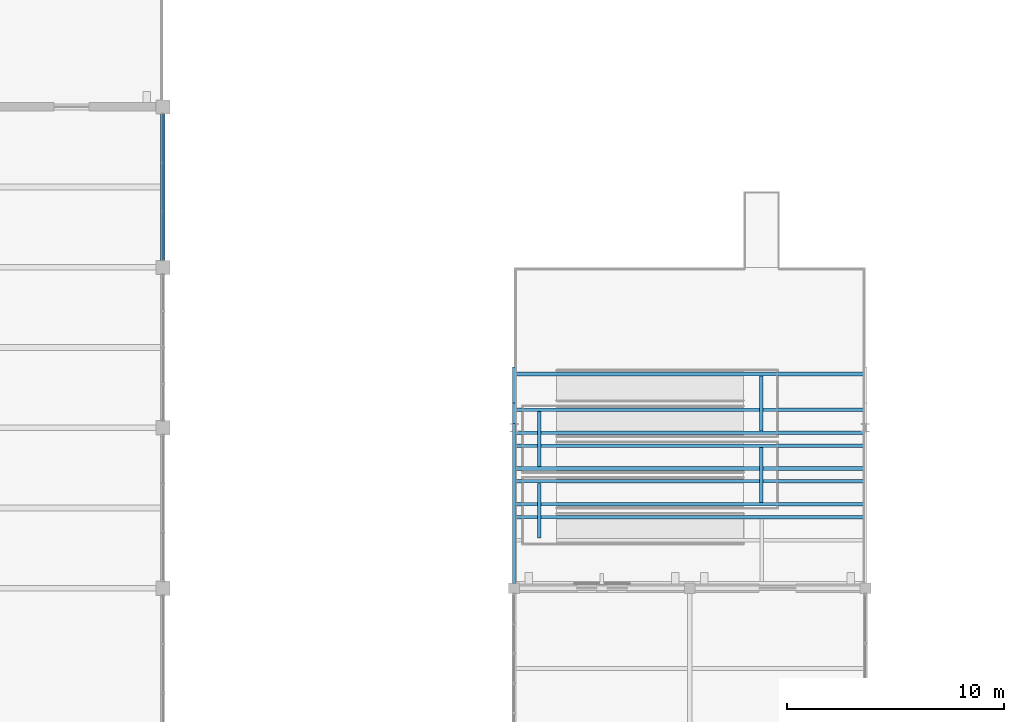
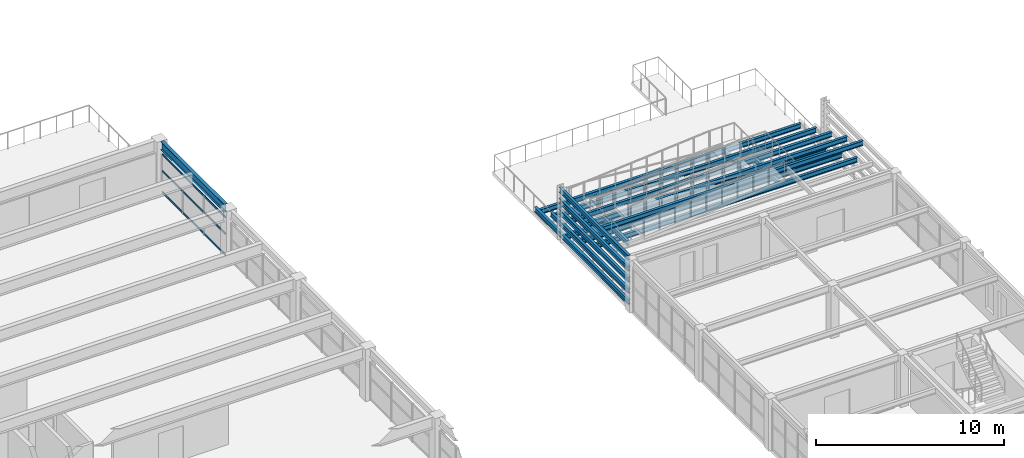
# One storey, part 57 of 93: 18 beams, 3 members, 1 element without a shape of its own.
"""IFC4 building model written with IfcOpenShell, lengths in metres."""

from ifc_helpers import new_model, si_unit, direction, frame, origin, origin_2d, place, context, subcontext, project, spatial, hollow_rectangle, i_section, extrude, material, material_profile, profile_set, type_object, element, aggregate, save


model = new_model("IFC4")

# Units and contexts
model_context = context("Model", 3, precision=1e-05, world=origin(), true_north=direction((0.0, 1.0)))
body_context = subcontext(model_context, "Body", "Model", "MODEL_VIEW")
ifc_project = project(units=[si_unit("LENGTHUNIT", "METRE"), si_unit("AREAUNIT", "SQUARE_METRE"), si_unit("VOLUMEUNIT", "CUBIC_METRE"), si_unit("PLANEANGLEUNIT", "RADIAN"), si_unit("MASSUNIT", "GRAM", prefix="KILO")], contexts=[model_context])

# Site, building, storey
site_placement = place(None, origin())
site = spatial("IfcSite", under=ifc_project, at=site_placement, CompositionType="ELEMENT")
building_placement = place(site_placement, origin())
building = spatial("IfcBuilding", under=site, at=building_placement, Name="Cimatlan Art Gallery", CompositionType="ELEMENT")
storey_placement = place(building_placement, frame((0.0, 0.0, 13.800048828125)))
storey = spatial("IfcBuildingStorey", under=building, at=storey_placement, Name="L03", CompositionType="ELEMENT", Elevation=13.800048828125)

# Beams
ifc_material_1 = material(Name="Steel ASTM A992 Grade 50", Category="steel")
ifc_material_profile_1 = material_profile(ifc_material_1, i_section(OverallWidth=0.1650390625, OverallDepth=0.31005859375, WebThickness=0.005859375, FlangeThickness=0.009765625, at=origin_2d()), Name="W12X26")
ifc_profile_set_1 = profile_set([ifc_material_profile_1], Name="Steel ASTM A992 Grade 50")
beam_type_1 = type_object("IfcBeamType", Name="BM-STL-W12X26", PredefinedType="JOIST", material=ifc_profile_set_1)
beam_1_placement = place(storey_placement, frame((115.39990234375, 68.52001953125, 0.364990234375), z_axis=(0.0, 1.0, 0.0), x_axis=(-1.0, 0.0, 0.0)))
element("IfcBeam", 1, at=beam_1_placement, inside=storey, type_object=beam_type_1, Name="BM-RMP-TER-U4-L1-NSW", PredefinedType="JOIST", context=body_context, shape_type="SweptSolid", body=[
    extrude(i_section(OverallWidth=0.1650390625, OverallDepth=0.31005859375, WebThickness=0.005859375, FlangeThickness=0.009765625, at=origin_2d()), origin(), (0.0, 0.0, 1.0), 9.97998046875),
])
for number, where, z_axis, x_axis, name in (
    (2, (115.489990234375, 75.469970703125, 0.364990234375), (1.0, 0.0, 0.0), (0.0, 1.0, 0.0), "BM-RMP-TER-U4-L1-EW1"),
    (3, (115.489990234375, 78.179931640625, 0.364990234375), (1.0, 0.0, 0.0), (0.0, 1.0, 0.0), "BM-RMP-TER-U4-L1-EW2"),
):
    element("IfcBeam", number, at=place(storey_placement, frame(where, z_axis=z_axis, x_axis=x_axis)), inside=storey, type_object=beam_type_1, Name=name, PredefinedType="JOIST", context=body_context, shape_type="SweptSolid", body=[
        extrude(i_section(OverallWidth=0.1650390625, OverallDepth=0.31005859375, WebThickness=0.005859375, FlangeThickness=0.009765625, at=origin_2d()), origin(), (0.0, 0.0, 1.0), 16.02001953125),
    ])
beam_2_placement = place(storey_placement, frame((126.7900390625, 75.56005859375, 0.364990234375), z_axis=(0.0, 1.0, 0.0), x_axis=(-1.0, 0.0, 0.0)))
element("IfcBeam", 4, at=beam_2_placement, inside=storey, type_object=beam_type_1, Name="BM-RMP-TER-U4-L1-X1", PredefinedType="JOIST", context=body_context, shape_type="SweptSolid", body=[
    extrude(i_section(OverallWidth=0.1650390625, OverallDepth=0.31005859375, WebThickness=0.005859375, FlangeThickness=0.009765625, at=origin_2d()), origin(), (0.0, 0.0, 1.0), 2.530029296875),
])
beam_3_placement = place(storey_placement, frame((115.39990234375, 68.52001953125, 1.0849609375), z_axis=(0.0, 1.0, 0.0), x_axis=(-1.0, 0.0, 0.0)))
element("IfcBeam", 5, at=beam_3_placement, inside=storey, type_object=beam_type_1, Name="BM-RMP-TER-U4-L2-NSW", PredefinedType="JOIST", context=body_context, shape_type="SweptSolid", body=[
    extrude(i_section(OverallWidth=0.1650390625, OverallDepth=0.31005859375, WebThickness=0.005859375, FlangeThickness=0.009765625, at=origin_2d()), origin(), (0.0, 0.0, 1.0), 8.330078125),
])
for number, where, z_axis, x_axis, name in (
    (6, (115.489990234375, 73.820068359375, 1.0849609375), (1.0, 0.0, 0.0), (0.0, 1.0, 0.0), "BM-RMP-TER-U4-L2-EW1"),
    (7, (115.489990234375, 76.530029296875, 1.0849609375), (1.0, 0.0, 0.0), (0.0, 1.0, 0.0), "BM-RMP-TER-U4-L2-EW2"),
):
    element("IfcBeam", number, at=place(storey_placement, frame(where, z_axis=z_axis, x_axis=x_axis)), inside=storey, type_object=beam_type_1, Name=name, PredefinedType="JOIST", context=body_context, shape_type="SweptSolid", body=[
        extrude(i_section(OverallWidth=0.1650390625, OverallDepth=0.31005859375, WebThickness=0.005859375, FlangeThickness=0.009765625, at=origin_2d()), origin(), (0.0, 0.0, 1.0), 16.02001953125),
    ])
beam_4_placement = place(storey_placement, frame((116.550048828125, 73.909912109375, 1.0849609375), z_axis=(0.0, 1.0, 0.0), x_axis=(-1.0, 0.0, 0.0)))
element("IfcBeam", 8, at=beam_4_placement, inside=storey, type_object=beam_type_1, Name="BM-RMP-TER-U4-L2-X1", PredefinedType="JOIST", context=body_context, shape_type="SweptSolid", body=[
    extrude(i_section(OverallWidth=0.1650390625, OverallDepth=0.31005859375, WebThickness=0.005859375, FlangeThickness=0.009765625, at=origin_2d()), origin(), (0.0, 0.0, 1.0), 2.530029296875),
])
beam_5_placement = place(storey_placement, frame((115.39990234375, 68.52001953125, 1.804931640625), z_axis=(0.0, 1.0, 0.0), x_axis=(-1.0, 0.0, 0.0)))
element("IfcBeam", 9, at=beam_5_placement, inside=storey, type_object=beam_type_1, Name="BM-RMP-TER-U4-L3-NSW", PredefinedType="JOIST", context=body_context, shape_type="SweptSolid", body=[
    extrude(i_section(OverallWidth=0.1650390625, OverallDepth=0.31005859375, WebThickness=0.005859375, FlangeThickness=0.009765625, at=origin_2d()), origin(), (0.0, 0.0, 1.0), 7.3798828125),
])
for number, where, z_axis, x_axis, name in (
    (10, (115.489990234375, 72.169921875, 1.804931640625), (1.0, 0.0, 0.0), (0.0, 1.0, 0.0), "BM-RMP-TER-U4-L3-EW1"),
    (11, (115.489990234375, 74.8798828125, 1.804931640625), (1.0, 0.0, 0.0), (0.0, 1.0, 0.0), "BM-RMP-TER-U4-L3-EW2"),
):
    element("IfcBeam", number, at=place(storey_placement, frame(where, z_axis=z_axis, x_axis=x_axis)), inside=storey, type_object=beam_type_1, Name=name, PredefinedType="JOIST", context=body_context, shape_type="SweptSolid", body=[
        extrude(i_section(OverallWidth=0.1650390625, OverallDepth=0.31005859375, WebThickness=0.005859375, FlangeThickness=0.009765625, at=origin_2d()), origin(), (0.0, 0.0, 1.0), 16.02001953125),
    ])
beam_6_placement = place(storey_placement, frame((126.7900390625, 72.260009765625, 1.804931640625), z_axis=(0.0, 1.0, 0.0), x_axis=(-1.0, 0.0, 0.0)))
element("IfcBeam", 12, at=beam_6_placement, inside=storey, type_object=beam_type_1, Name="BM-RMP-TER-U4-L3-X1", PredefinedType="JOIST", context=body_context, shape_type="SweptSolid", body=[
    extrude(i_section(OverallWidth=0.1650390625, OverallDepth=0.31005859375, WebThickness=0.005859375, FlangeThickness=0.009765625, at=origin_2d()), origin(), (0.0, 0.0, 1.0), 2.530029296875),
])
beam_7_placement = place(storey_placement, frame((115.39990234375, 68.52001953125, 2.52490234375), z_axis=(0.0, 1.0, 0.0), x_axis=(-1.0, 0.0, 0.0)))
element("IfcBeam", 13, at=beam_7_placement, inside=storey, type_object=beam_type_1, Name="BM-RMP-TER-U4-L4-NSW", PredefinedType="JOIST", context=body_context, shape_type="SweptSolid", body=[
    extrude(i_section(OverallWidth=0.1650390625, OverallDepth=0.31005859375, WebThickness=0.005859375, FlangeThickness=0.009765625, at=origin_2d()), origin(), (0.0, 0.0, 1.0), 7.3798828125),
])
beam_8_placement = place(storey_placement, frame((115.489990234375, 73.22998046875, 2.52490234375), z_axis=(1.0, 0.0, 0.0), x_axis=(0.0, 1.0, 0.0)))
element("IfcBeam", 14, at=beam_8_placement, inside=storey, type_object=beam_type_1, Name="BM-RMP-TER-U4-L4-EW2", PredefinedType="JOIST", context=body_context, shape_type="SweptSolid", body=[
    extrude(i_section(OverallWidth=0.1650390625, OverallDepth=0.31005859375, WebThickness=0.005859375, FlangeThickness=0.009765625, at=origin_2d()), origin(), (0.0, 0.0, 1.0), 16.02001953125),
])
beam_9_placement = place(storey_placement, frame((116.550048828125, 70.610107421875, 2.52490234375), z_axis=(0.0, 1.0, 0.0), x_axis=(-1.0, 0.0, 0.0)))
element("IfcBeam", 15, at=beam_9_placement, inside=storey, type_object=beam_type_1, Name="BM-RMP-TER-U4-L4-X1", PredefinedType="JOIST", context=body_context, shape_type="SweptSolid", body=[
    extrude(i_section(OverallWidth=0.1650390625, OverallDepth=0.31005859375, WebThickness=0.005859375, FlangeThickness=0.009765625, at=origin_2d()), origin(), (0.0, 0.0, 1.0), 2.52978515625),
])
beam_10_placement = place(storey_placement, frame((115.39990234375, 68.52001953125, 3.244873046875), z_axis=(0.0, 1.0, 0.0), x_axis=(-1.0, 0.0, 0.0)))
element("IfcBeam", 16, at=beam_10_placement, inside=storey, type_object=beam_type_1, Name="BM-RMP-TER-U4-L5-NSW", PredefinedType="JOIST", context=body_context, shape_type="SweptSolid", body=[
    extrude(i_section(OverallWidth=0.1650390625, OverallDepth=0.31005859375, WebThickness=0.005859375, FlangeThickness=0.009765625, at=origin_2d()), origin(), (0.0, 0.0, 1.0), 7.3798828125),
])
beam_11_placement = place(storey_placement, frame((115.489990234375, 71.580078125, 3.244873046875), z_axis=(1.0, 0.0, 0.0), x_axis=(0.0, 1.0, 0.0)))
element("IfcBeam", 17, at=beam_11_placement, inside=storey, type_object=beam_type_1, Name="BM-RMP-TER-U4-L5-EW2", PredefinedType="JOIST", context=body_context, shape_type="SweptSolid", body=[
    extrude(i_section(OverallWidth=0.1650390625, OverallDepth=0.31005859375, WebThickness=0.005859375, FlangeThickness=0.009765625, at=origin_2d()), origin(), (0.0, 0.0, 1.0), 16.02001953125),
])
ifc_material_profile_2 = material_profile(ifc_material_1, i_section(OverallWidth=0.2099609375, OverallDepth=0.532958984375, WebThickness=0.01025390625, FlangeThickness=0.015625, at=origin_2d()), Name="W21X62")
ifc_profile_set_2 = profile_set([ifc_material_profile_2], Name="Steel ASTM A992 Grade 50")
beam_type_2 = type_object("IfcBeamType", Name="BM-STL-W21X62", PredefinedType="BEAM", material=ifc_profile_set_2)
beam_12_placement = place(storey_placement, frame((99.199951171875, 83.425048828125, 3.113525390625), z_axis=(0.0, 1.0, 0.0), x_axis=(-1.0, 0.0, 0.0)))
element("IfcBeam", 18, at=beam_12_placement, inside=storey, type_object=beam_type_2, Name="BM-Y-L03-12-11", PredefinedType="BEAM", context=body_context, shape_type="SweptSolid", body=[
    extrude(i_section(OverallWidth=0.2099609375, OverallDepth=0.532958984375, WebThickness=0.01025390625, FlangeThickness=0.015625, at=origin_2d()), origin(), (0.0, 0.0, 1.0), 6.75),
])

# Curtain wall, members
ifc_material_2 = material(Name="Anodised bronze unitised curtain wall")
curtain_wall_type = type_object("IfcCurtainWallType", Name="CW-V-06742X02573-B3", PredefinedType="NOTDEFINED", material=ifc_material_2)
curtain_wall_placement = place(storey_placement, origin())
curtain_wall = element("IfcCurtainWall", 19, at=curtain_wall_placement, inside=storey, type_object=curtain_wall_type, Name="CW-L03-11-11-E", PredefinedType="NOTDEFINED")
ifc_material_3 = material(Name="Anodised bronze aluminium 6063-T6", Category="aluminium")
ifc_material_profile_3 = material_profile(ifc_material_3, hollow_rectangle(XDim=0.06005859375, YDim=0.110107421875, WallThickness=0.00341796875, at=origin_2d()), Name="ALU60X110X3")
ifc_profile_set_3 = profile_set([ifc_material_profile_3], Name="Anodised bronze aluminium 6063-T6")
member_type = type_object("IfcMemberType", Name="CW-TRN-110", PredefinedType="USERDEFINED", material=ifc_profile_set_3)
member_1_placement = place(storey_placement, frame((99.199951171875, 90.1708984375, 0.06005859375), z_axis=(0.0, -1.0, 0.0), x_axis=(1.0, 0.0, 0.0)))
member_1 = element("IfcMember", 20, at=member_1_placement, type_object=member_type, Name="CW-L03-11-11-E-T1", ObjectType="TRANSOM", PredefinedType="USERDEFINED", context=body_context, shape_type="SweptSolid", body=[
    extrude(hollow_rectangle(XDim=0.06005859375, YDim=0.110107421875, WallThickness=0.00341796875, at=origin_2d()), origin(), (0.0, 0.0, 1.0), 6.741943359375),
])
member_2_placement = place(storey_placement, frame((99.199951171875, 90.1708984375, 1.44091796875), z_axis=(0.0, -1.0, 0.0), x_axis=(1.0, 0.0, 0.0)))
member_2 = element("IfcMember", 21, at=member_2_placement, type_object=member_type, Name="CW-L03-11-11-E-T2", ObjectType="TRANSOM", PredefinedType="USERDEFINED", context=body_context, shape_type="SweptSolid", body=[
    extrude(hollow_rectangle(XDim=0.06005859375, YDim=0.110107421875, WallThickness=0.00341796875, at=origin_2d()), origin(), (0.0, 0.0, 1.0), 6.741943359375),
])
member_3_placement = place(storey_placement, frame((99.199951171875, 90.1708984375, 2.512939453125), z_axis=(0.0, -1.0, 0.0), x_axis=(1.0, 0.0, 0.0)))
member_3 = element("IfcMember", 22, at=member_3_placement, type_object=member_type, Name="CW-L03-11-11-E-T3", ObjectType="TRANSOM", PredefinedType="USERDEFINED", context=body_context, shape_type="SweptSolid", body=[
    extrude(hollow_rectangle(XDim=0.06005859375, YDim=0.110107421875, WallThickness=0.00341796875, at=origin_2d()), origin(), (0.0, 0.0, 1.0), 6.741943359375),
])
aggregate(curtain_wall, [member_1, member_2, member_3])

save(model, "model.ifc")
